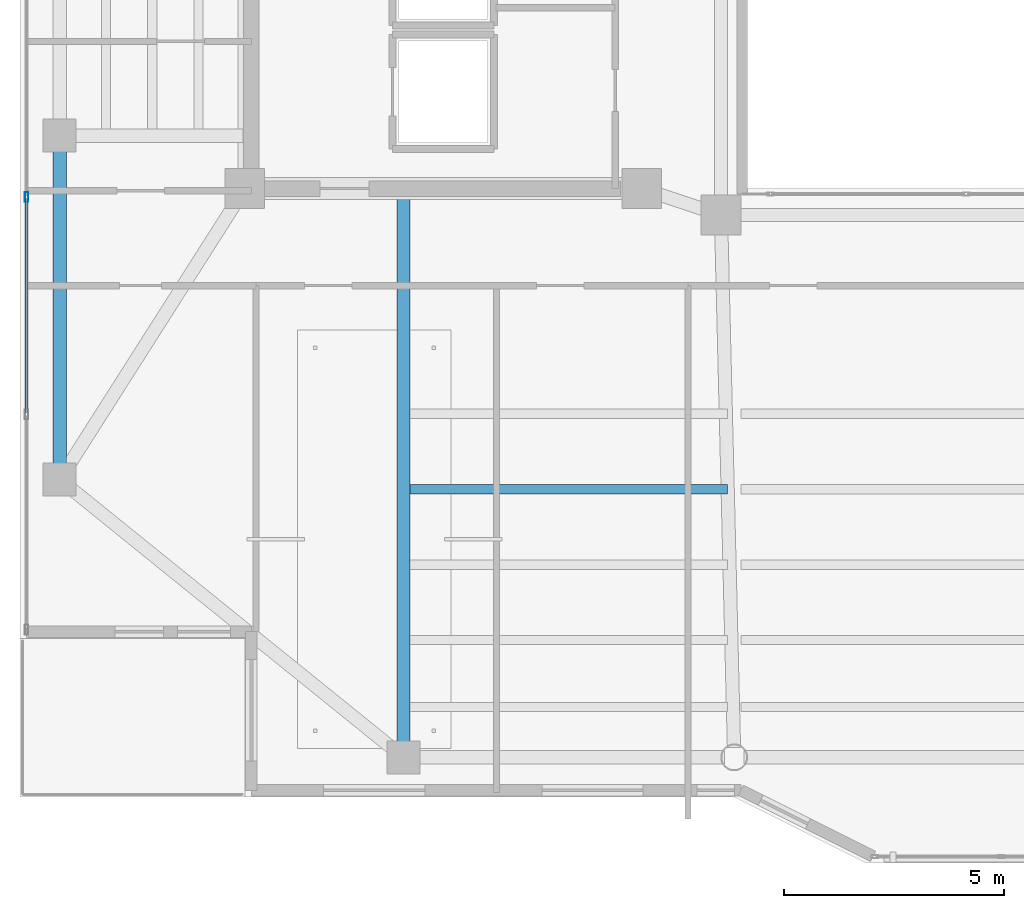
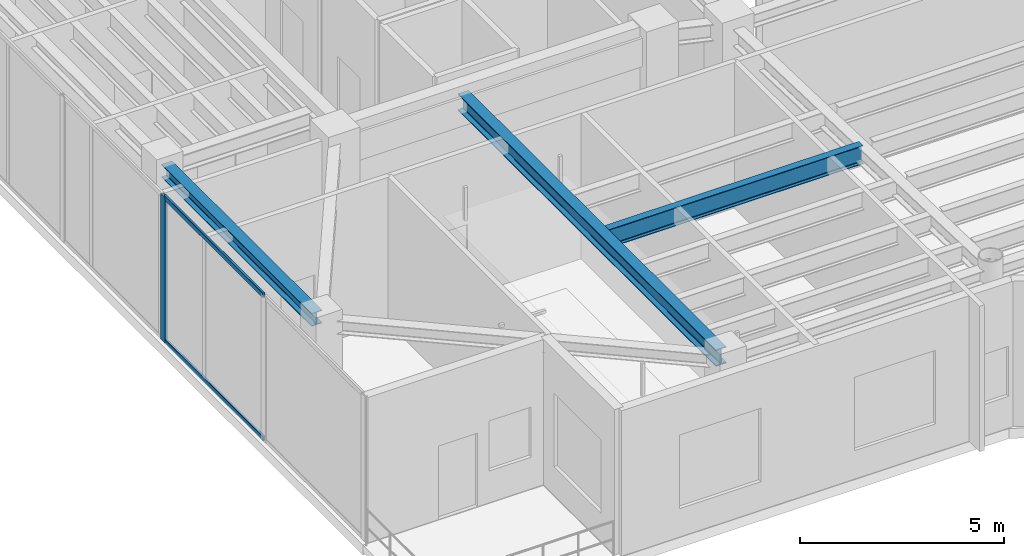
# One storey, part 3 of 34: 3 beams, 3 members, 1 element without a shape of its own.
"""IFC4 building model written with IfcOpenShell, lengths in metres."""

import ifcopenshell
import ifcopenshell.guid

model = None  # the IFC model being written
_history = None  # IfcOwnerHistory: only IFC2X3 demands one
_inside = {}  # id of a spatial element -> (the spatial element, [elements in it])
_under = {}  # id of a project, library or spatial element -> (it, [spatial elements below it])
_declared = {}  # id of a project -> (the project, [libraries it declares])
_typed = {}  # id of a type object -> (the type object, [elements of that type])
_made_of = {}  # id of a material, layer set ... -> (it, [elements and type objects made of it])


def new_model(schema):
    """Start an empty IFC model of exactly this schema.

    Asked for "IFC4X3", IfcOpenShell would pick the latest addendum, in which some entities
    have other attributes; the version numbers below select the first issue.
    IFC2X3 requires an IfcOwnerHistory on every rooted entity: one is made here for all.
    """
    global model, _history
    if schema == "IFC4X3":
        model = ifcopenshell.file(schema_version=(4, 3, 0, 0))
    else:
        model = ifcopenshell.file(schema=schema)
    _inside.clear()
    _under.clear()
    _declared.clear()
    _typed.clear()
    _made_of.clear()
    _history = None
    if model.schema == "IFC2X3":
        org = make("IfcOrganization", Name="unknown")
        user = make(
            "IfcPersonAndOrganization",
            ThePerson=make("IfcPerson", FamilyName="unknown"),
            TheOrganization=org,
        )
        app = make(
            "IfcApplication",
            ApplicationDeveloper=org,
            Version="unknown",
            ApplicationFullName="unknown",
            ApplicationIdentifier="unknown",
        )
        _history = make(
            "IfcOwnerHistory",
            OwningUser=user,
            OwningApplication=app,
            ChangeAction="ADDED",
            CreationDate=0,
        )
    return model


def make(cls, **values):
    """One entity of the class cls with the attributes given. An attribute that is None is left unset."""
    return model.create_entity(
        cls, **{name: value for name, value in values.items() if value is not None}
    )


def rooted(cls, **values):
    """An entity with a GlobalId (a new one), such as an element, a storey or a relation."""
    return make(cls, GlobalId=ifcopenshell.guid.new(), OwnerHistory=_history, **values)


def si_unit(unit_type, name, prefix=None):
    """IfcSIUnit, for example si_unit("LENGTHUNIT", "METRE", prefix="MILLI")."""
    return make("IfcSIUnit", UnitType=unit_type, Prefix=prefix, Name=name)


def assignment(units):
    """IfcUnitAssignment: the units of a project."""
    return None if units is None else make("IfcUnitAssignment", Units=units)


def point(xyz):
    """IfcCartesianPoint."""
    return None if xyz is None else make("IfcCartesianPoint", Coordinates=xyz)


def direction(xyz):
    """IfcDirection."""
    return None if xyz is None else make("IfcDirection", DirectionRatios=xyz)


def frame(location, z_axis=None, x_axis=None):
    """IfcAxis2Placement3D, a coordinate frame: its origin and axes. An axis left out is left unset."""
    return make(
        "IfcAxis2Placement3D",
        Location=point(location),
        Axis=direction(z_axis),
        RefDirection=direction(x_axis),
    )


def frame_2d(location, x_axis=None):
    """IfcAxis2Placement2D, a coordinate frame in the plane: its origin and x axis."""
    return make(
        "IfcAxis2Placement2D", Location=point(location), RefDirection=direction(x_axis)
    )


def origin():
    """The frame at (0, 0, 0) with its axes left unset."""
    return frame((0.0, 0.0, 0.0))


def origin_2d():
    """The frame at (0, 0) in the plane with its x axis left unset."""
    return frame_2d((0.0, 0.0))


def place(relative_to, where):
    """IfcLocalPlacement: puts the frame where relative to a parent placement (None: the world)."""
    return make(
        "IfcLocalPlacement", PlacementRelTo=relative_to, RelativePlacement=where
    )


def context(
    kind, dimensions, precision=None, world=None, true_north=None, identifier=None
):
    """IfcGeometricRepresentationContext, for example the 3D "Model" context."""
    return make(
        "IfcGeometricRepresentationContext",
        ContextIdentifier=identifier,
        ContextType=kind,
        CoordinateSpaceDimension=dimensions,
        Precision=precision,
        WorldCoordinateSystem=world,
        TrueNorth=true_north,
    )


def subcontext(parent, identifier, kind, view, scale=None):
    """IfcGeometricRepresentationSubContext, for example "Body" below "Model"."""
    return make(
        "IfcGeometricRepresentationSubContext",
        ContextIdentifier=identifier,
        ContextType=kind,
        ParentContext=parent,
        TargetScale=scale,
        TargetView=view,
    )


def project(units=None, contexts=None):
    """IfcProject with its units and contexts."""
    return rooted(
        "IfcProject",
        Name="project",
        RepresentationContexts=contexts,
        UnitsInContext=assignment(units),
    )


def spatial(cls, under=None, at=None, **own):
    """A site, building, storey or space (cls), placed at a placement, below another one or the project."""
    s = rooted(cls, ObjectPlacement=at, **own)
    if under is not None:
        _under.setdefault(under.id(), (under, []))[1].append(s)
    return s


def profile(cls, at=None, kind="AREA", **sizes):
    """A parametric profile (cls). Its sizes go by their IFC names, for example OverallWidth=200.0."""
    return make(cls, ProfileType=kind, Position=at, **sizes)


def hollow_rectangle(**sizes):
    """IfcRectangleHollowProfileDef."""
    return profile("IfcRectangleHollowProfileDef", **sizes)


def i_section(**sizes):
    """IfcIShapeProfileDef."""
    return profile("IfcIShapeProfileDef", **sizes)


def extrude(swept, where, along, depth):
    """IfcExtrudedAreaSolid: the profile swept, set in the frame where, extruded along a direction by depth."""
    return make(
        "IfcExtrudedAreaSolid",
        SweptArea=swept,
        Position=where,
        ExtrudedDirection=direction(along),
        Depth=depth,
    )


def shape(context_of_items, identifier, shape_type, items):
    """IfcShapeRepresentation: the items that make up one representation, for example the "Body"."""
    return make(
        "IfcShapeRepresentation",
        ContextOfItems=context_of_items,
        RepresentationIdentifier=identifier,
        RepresentationType=shape_type,
        Items=items,
    )


def material(Name=None, Category=None):
    """IfcMaterial."""
    return make("IfcMaterial", Name=Name, Category=Category)


def layer(
    of_material, thickness, ventilated=None, Name=None, Category=None, Priority=None
):
    """IfcMaterialLayer: one layer of a wall or slab, of a material (None: an air gap)."""
    return make(
        "IfcMaterialLayer",
        Material=of_material,
        LayerThickness=thickness,
        IsVentilated=ventilated,
        Name=Name,
        Category=Category,
        Priority=Priority,
    )


def layer_set(layers, Name=None):
    """IfcMaterialLayerSet."""
    return make("IfcMaterialLayerSet", MaterialLayers=layers, LayerSetName=Name)


def material_profile(
    of_material, cross_section, Name=None, Category=None, Priority=None
):
    """IfcMaterialProfile: a cross section and its material."""
    return make(
        "IfcMaterialProfile",
        Name=Name,
        Material=of_material,
        Profile=cross_section,
        Priority=Priority,
        Category=Category,
    )


def profile_set(profiles, Name=None, composite=None):
    """IfcMaterialProfileSet."""
    return make(
        "IfcMaterialProfileSet",
        Name=Name,
        MaterialProfiles=profiles,
        CompositeProfile=composite,
    )


def made_of(thing, what):
    """Note that an element or type object is made of a material, layer set ...; save() writes the relation."""
    if what is not None:
        _made_of.setdefault(what.id(), (what, []))[1].append(thing)
    return thing


def type_object(cls, material=None, **own):
    """A type object (cls), such as IfcWallType, which elements share."""
    return made_of(rooted(cls, **own), material)


def element(
    cls,
    number,
    at=None,
    inside=None,
    cuts=None,
    type_object=None,
    material=None,
    context=None,
    identifier="Body",
    shape_type=None,
    held_by="IfcProductDefinitionShape",
    body=None,
    shapes=None,
    **own,
):
    """One element of the class cls, such as IfcWall. Its Tag is "e" and its number.

    at: its placement. inside: the storey or other place that contains it. cuts: it is an
    opening in that element (IfcRelVoidsElement). A single representation is given by context,
    identifier, shape_type and body (its items); several are given by shapes. held_by: the class
    of the entity that holds the representations. save() writes the other relations.
    """
    e = rooted(cls, Tag="e%d" % number, ObjectPlacement=at, **own)
    if body is not None:
        shapes = [shape(context, identifier, shape_type, body)]
    if shapes is not None:
        e.Representation = make(held_by, Representations=shapes)
    if inside is not None:
        _inside.setdefault(inside.id(), (inside, []))[1].append(e)
    if cuts is not None:
        rooted(
            "IfcRelVoidsElement", RelatingBuildingElement=cuts, RelatedOpeningElement=e
        )
    if type_object is not None:
        _typed.setdefault(type_object.id(), (type_object, []))[1].append(e)
    return made_of(e, material)


def aggregate(whole, parts):
    """IfcRelAggregates: a whole, such as a stair, and the parts it consists of."""
    return rooted("IfcRelAggregates", RelatingObject=whole, RelatedObjects=parts)


def save(model, path):
    """Write the relations noted so far, then the file.

    IfcRelAggregates (storeys below a building ...), IfcRelContainedInSpatialStructure (elements
    in a storey), IfcRelDefinesByType, IfcRelAssociatesMaterial and IfcRelDeclares: one each for
    every whole, place, type object, material and project.
    """
    for whole, parts in _under.values():
        aggregate(whole, parts)
    for where, things in _inside.values():
        rooted(
            "IfcRelContainedInSpatialStructure",
            RelatedElements=things,
            RelatingStructure=where,
        )
    for kind, things in _typed.values():
        rooted("IfcRelDefinesByType", RelatedObjects=things, RelatingType=kind)
    for what, things in _made_of.values():
        rooted("IfcRelAssociatesMaterial", RelatedObjects=things, RelatingMaterial=what)
    for by, libraries in _declared.values():
        rooted("IfcRelDeclares", RelatingContext=by, RelatedDefinitions=libraries)
    model.write(path)


model = new_model("IFC4")

# Units and contexts
model_context = context("Model", 3, precision=1e-05, world=origin(), true_north=direction((0.0, 1.0)))
body_context = subcontext(model_context, "Body", "Model", "MODEL_VIEW")
ifc_project = project(units=[si_unit("LENGTHUNIT", "METRE"), si_unit("AREAUNIT", "SQUARE_METRE"), si_unit("VOLUMEUNIT", "CUBIC_METRE"), si_unit("PLANEANGLEUNIT", "RADIAN"), si_unit("MASSUNIT", "GRAM", prefix="KILO")], contexts=[model_context])

# Site, building, storey
site_placement = place(None, origin())
site = spatial("IfcSite", under=ifc_project, at=site_placement, CompositionType="ELEMENT")
building_placement = place(site_placement, origin())
building = spatial("IfcBuilding", under=site, at=building_placement, Name="Tarnavaz Court Tower", CompositionType="ELEMENT")
storey_placement = place(building_placement, frame((0.0, 0.0, 231.75)))
storey = spatial("IfcBuildingStorey", under=building, at=storey_placement, Name="L63", CompositionType="ELEMENT", Elevation=231.75)

# Beams
ifc_material_1 = material(Name="Steel S355", Category="steel")
ifc_material_profile_1 = material_profile(ifc_material_1, i_section(OverallWidth=0.300048828125, OverallDepth=0.5, WebThickness=0.014404296875, FlangeThickness=0.028076171875, FilletRadius=0.027099609375, at=origin_2d()), Name="HEB 500")
ifc_profile_set_1 = profile_set([ifc_material_profile_1], Name="Steel S355")
beam_type_1 = type_object("IfcBeamType", Name="BM-G-HEB500", PredefinedType="USERDEFINED", material=ifc_profile_set_1)
beam_1_placement = place(storey_placement, frame((-15.0, -7.239990234375, 4.10009765625), z_axis=(0.0, -1.0, 0.0), x_axis=(1.0, 0.0, 0.0)))
element("IfcBeam", 1, at=beam_1_placement, inside=storey, type_object=beam_type_1, Name="L63 Beam RG-05", ObjectType="GIRDER", PredefinedType="USERDEFINED", context=body_context, shape_type="SweptSolid", body=[
    extrude(i_section(OverallWidth=0.300048828125, OverallDepth=0.5, WebThickness=0.014404296875, FlangeThickness=0.028076171875, FilletRadius=0.027099609375, at=origin_2d()), origin(), (0.0, 0.0, 1.0), 12.639892578125),
])
ifc_material_profile_2 = material_profile(ifc_material_1, i_section(OverallWidth=0.2099609375, OverallDepth=0.550048828125, WebThickness=0.010986328125, FlangeThickness=0.01708984375, FilletRadius=0.02392578125, at=origin_2d()), Name="IPE 550")
ifc_profile_set_2 = profile_set([ifc_material_profile_2], Name="Steel S355")
beam_type_2 = type_object("IfcBeamType", Name="BM-J-IPE550", PredefinedType="JOIST", material=ifc_profile_set_2)
beam_2_placement = place(storey_placement, frame((-14.85009765625, -14.02001953125, 4.074951171875), z_axis=(1.0, 0.0, 0.0), x_axis=(0.0, 1.0, 0.0)))
element("IfcBeam", 2, at=beam_2_placement, inside=storey, type_object=beam_type_2, Name="L63 Beam JS2-1", PredefinedType="JOIST", context=body_context, shape_type="SweptSolid", body=[
    extrude(i_section(OverallWidth=0.2099609375, OverallDepth=0.550048828125, WebThickness=0.010986328125, FlangeThickness=0.01708984375, FilletRadius=0.02392578125, at=origin_2d()), origin(), (0.0, 0.0, 1.0), 7.2001953125),
])
ifc_material_profile_3 = material_profile(ifc_material_1, i_section(OverallWidth=0.300048828125, OverallDepth=0.389892578125, WebThickness=0.010986328125, FlangeThickness=0.01904296875, FilletRadius=0.027099609375, at=origin_2d()), Name="HEA 400")
ifc_profile_set_3 = profile_set([ifc_material_profile_3], Name="Steel S355")
beam_type_3 = type_object("IfcBeamType", Name="BM-SP-HEA400", PredefinedType="BEAM", material=ifc_profile_set_3)
beam_3_placement = place(storey_placement, frame((-22.800048828125, -13.580078125, 4.155029296875), z_axis=(0.0, 1.0, 0.0), x_axis=(-1.0, 0.0, 0.0)))
element("IfcBeam", 3, at=beam_3_placement, inside=storey, type_object=beam_type_3, Name="L63 Beam PR-PW-1-PW-2", PredefinedType="BEAM", context=body_context, shape_type="SweptSolid", body=[
    extrude(i_section(OverallWidth=0.300048828125, OverallDepth=0.389892578125, WebThickness=0.010986328125, FlangeThickness=0.01904296875, FilletRadius=0.027099609375, at=origin_2d()), origin(), (0.0, 0.0, 1.0), 7.360107421875),
])

# Curtain wall, members
ifc_material_2 = material(Name="Anodised Aluminium 6063-T6 and Solar Low-E Glazing", Category="aluminium")
ifc_layer = layer(ifc_material_2, 0.199951171875)
ifc_layer_set = layer_set([ifc_layer], Name="Anodised Aluminium 6063-T6 and Solar Low-E Glazing")
curtain_wall_type = type_object("IfcCurtainWallType", Name="CW-SYS-05", PredefinedType="NOTDEFINED", material=ifc_layer_set)
curtain_wall_placement = place(storey_placement, origin())
curtain_wall = element("IfcCurtainWall", 4, at=curtain_wall_placement, inside=storey, type_object=curtain_wall_type, Name="L63 Sky-Portal Curtain Wall 2", PredefinedType="NOTDEFINED")
ifc_material_3 = material(Name="Anodised Aluminium 6063-T6", Category="aluminium")
ifc_material_profile_4 = material_profile(ifc_material_3, hollow_rectangle(XDim=0.0849609375, YDim=0.219970703125, WallThickness=0.006103515625, InnerFilletRadius=0.006103515625, OuterFilletRadius=0.011962890625, at=origin_2d()), Name="ALU RHS 220X85X6")
ifc_profile_set_4 = profile_set([ifc_material_profile_4], Name="Anodised Aluminium 6063-T6")
member_type_1 = type_object("IfcMemberType", Name="CW-MUL-220", PredefinedType="MULLION", material=ifc_profile_set_4)
member_1_placement = place(storey_placement, frame((-23.550048828125, -7.392822265625, 0.0), z_axis=(0.0, 0.0, 1.0), x_axis=(-1.0, 0.0, 0.0)))
member_1 = element("IfcMember", 5, at=member_1_placement, type_object=member_type_1, Name="CW mullion 3", PredefinedType="MULLION", context=body_context, shape_type="SweptSolid", body=[
    extrude(hollow_rectangle(XDim=0.0849609375, YDim=0.219970703125, WallThickness=0.006103515625, InnerFilletRadius=0.006103515625, OuterFilletRadius=0.011962890625, at=origin_2d()), origin(), (0.0, 0.0, 1.0), 4.35009765625),
])
ifc_material_profile_5 = material_profile(ifc_material_3, hollow_rectangle(XDim=0.06494140625, YDim=0.139892578125, WallThickness=0.00390625, InnerFilletRadius=0.00390625, OuterFilletRadius=0.008056640625, at=origin_2d()), Name="ALU RHS 140X65X4")
ifc_profile_set_5 = profile_set([ifc_material_profile_5], Name="Anodised Aluminium 6063-T6")
member_type_2 = type_object("IfcMemberType", Name="CW-TRN-140", PredefinedType="USERDEFINED", material=ifc_profile_set_5)
member_2_placement = place(storey_placement, frame((-23.550048828125, -12.27880859375, 0.032470703125), z_axis=(0.0, 1.0, 0.0), x_axis=(-1.0, 0.0, 0.0)))
member_2 = element("IfcMember", 6, at=member_2_placement, type_object=member_type_2, Name="CW transom 2.1", ObjectType="TRANSOM", PredefinedType="USERDEFINED", context=body_context, shape_type="SweptSolid", body=[
    extrude(hollow_rectangle(XDim=0.06494140625, YDim=0.139892578125, WallThickness=0.00390625, InnerFilletRadius=0.00390625, OuterFilletRadius=0.008056640625, at=origin_2d()), origin(), (0.0, 0.0, 1.0), 4.843505859375),
])
member_3_placement = place(storey_placement, frame((-23.550048828125, -12.27880859375, 4.3173828125), z_axis=(0.0, 1.0, 0.0), x_axis=(-1.0, 0.0, 0.0)))
member_3 = element("IfcMember", 7, at=member_3_placement, type_object=member_type_2, Name="CW transom 2.2", ObjectType="TRANSOM", PredefinedType="USERDEFINED", context=body_context, shape_type="SweptSolid", body=[
    extrude(hollow_rectangle(XDim=0.06494140625, YDim=0.139892578125, WallThickness=0.00390625, InnerFilletRadius=0.00390625, OuterFilletRadius=0.008056640625, at=origin_2d()), origin(), (0.0, 0.0, 1.0), 4.843505859375),
])
aggregate(curtain_wall, [member_1, member_2, member_3])

save(model, "model.ifc")
